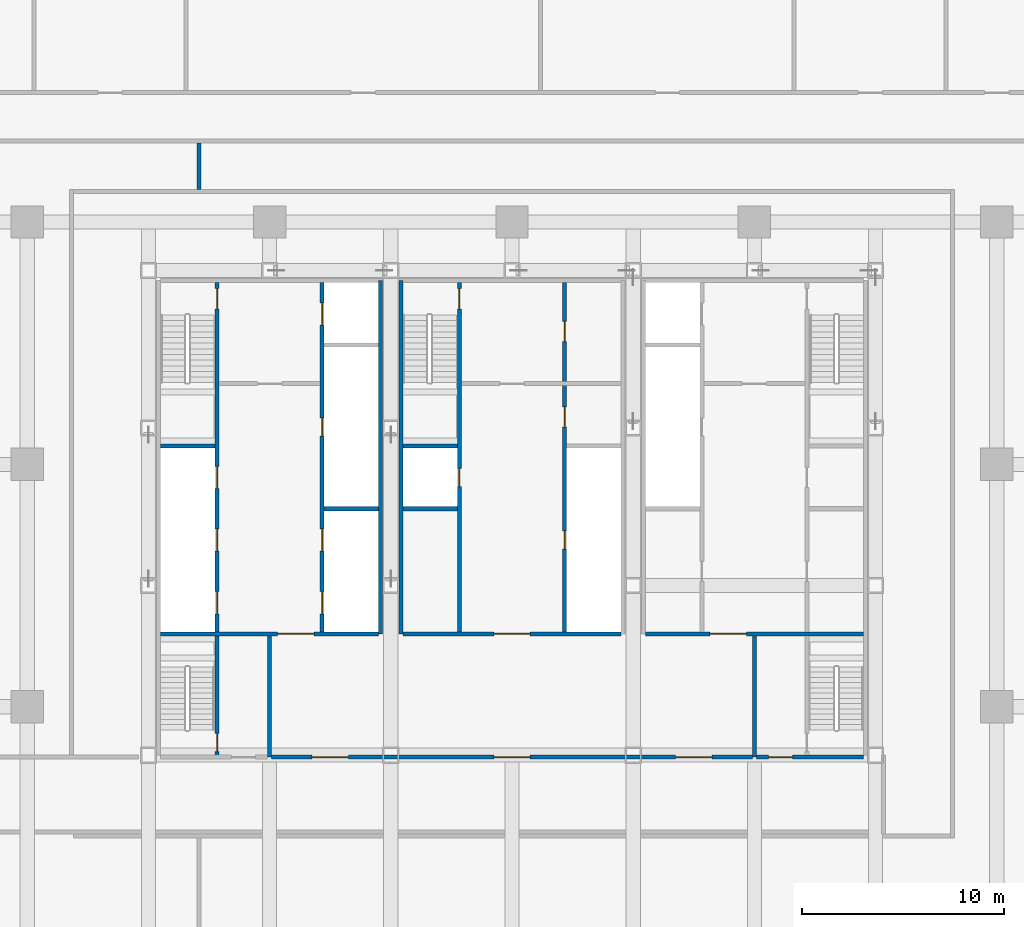
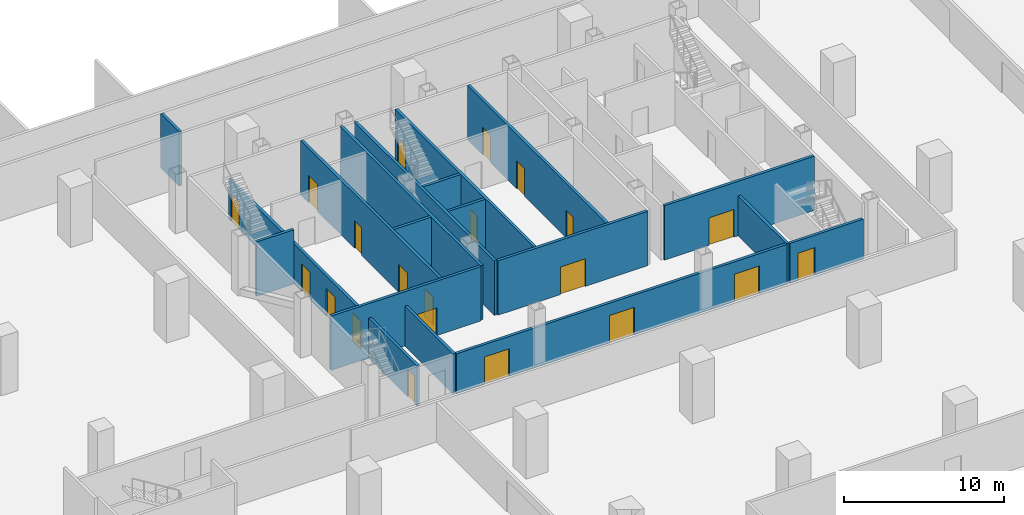
# One storey, part 4 of 15: 21 doors, 18 walls, 21 openings.
"""IFC4 building model written with IfcOpenShell, lengths in metres."""

from ifc_helpers import new_model, si_unit, direction, frame, frame_2d, origin, place, context, subcontext, project, spatial, rectangle, extrude, material, layer, layer_set, type_object, element, fill, save


model = new_model("IFC4")

# Units and contexts
model_context = context("Model", 3, precision=1e-05, world=origin(), true_north=direction((0.0, 1.0)))
body_context = subcontext(model_context, "Body", "Model", "MODEL_VIEW")
ifc_project = project(units=[si_unit("LENGTHUNIT", "METRE"), si_unit("AREAUNIT", "SQUARE_METRE"), si_unit("VOLUMEUNIT", "CUBIC_METRE"), si_unit("PLANEANGLEUNIT", "RADIAN"), si_unit("MASSUNIT", "GRAM", prefix="KILO")], contexts=[model_context])

# Site, building, storey
site_placement = place(None, origin())
site = spatial("IfcSite", under=ifc_project, at=site_placement, CompositionType="ELEMENT")
building_placement = place(site_placement, origin())
building = spatial("IfcBuilding", under=site, at=building_placement, Name="Sorahane Residences", CompositionType="ELEMENT")
storey_placement = place(building_placement, frame((0.0, 0.0, -4.5)))
storey = spatial("IfcBuildingStorey", under=building, at=storey_placement, Name="B1", CompositionType="ELEMENT", Elevation=-4.5)

# Walls
ifc_material_1 = material(Name="Concrete C30", Category="concrete")
ifc_layer_1 = layer(ifc_material_1, 0.199951171875)
ifc_layer_set_1 = layer_set([ifc_layer_1], Name="Core face wall 200 EI 180")
wall_type_1 = type_object("IfcWallType", Name="Core face wall 200 EI 180", PredefinedType="SOLIDWALL", material=ifc_layer_set_1)
for number, where, z_axis, x_axis, name in (
    (1, (17.5, 27.60009765625, 0.0), (0.0, 0.0, 1.0), (0.0, 1.0, 0.0), "B1 core face wall"),
    (2, (18.5, 27.60009765625, 0.0), (0.0, 0.0, 1.0), (0.0, 1.0, 0.0), "B1 core face wall"),
):
    element("IfcWall", number, at=place(storey_placement, frame(where, z_axis=z_axis, x_axis=x_axis)), inside=storey, type_object=wall_type_1, Name=name, PredefinedType="SOLIDWALL", context=body_context, shape_type="SweptSolid", body=[
        extrude(rectangle(XDim=17.5, YDim=0.199951171875, at=frame_2d((8.75, 0.0))), origin(), (0.0, 0.0, 1.0), 4.139892578125),
    ])
ifc_material_2 = material(Name="Concrete blockwork C20 wall", Category="masonry")
ifc_layer_2 = layer(ifc_material_2, 0.199951171875)
ifc_layer_set_2 = layer_set([ifc_layer_2], Name="Fire wall 200 EI 120")
wall_type_2 = type_object("IfcWallType", Name="Fire wall 200 EI 120", PredefinedType="SOLIDWALL", material=ifc_layer_set_2)
wall_1_placement = place(storey_placement, frame((8.5, 49.60009765625, 0.0), z_axis=(0.0, 0.0, 1.0), x_axis=(0.0, 1.0, 0.0)))
element("IfcWall", 3, at=wall_1_placement, inside=storey, type_object=wall_type_2, Name="B1 fire wall", PredefinedType="SOLIDWALL", context=body_context, shape_type="SweptSolid", body=[
    extrude(rectangle(XDim=2.2998046875, YDim=0.199951171875, at=frame_2d((1.14990234375, 0.0))), origin(), (0.0, 0.0, 1.0), 4.139892578125),
])
ifc_material_3 = material(Name="Concrete C30", Category="concrete")
ifc_layer_3 = layer(ifc_material_3, 0.199951171875)
ifc_layer_set_3 = layer_set([ifc_layer_3], Name="Front room wall 200 EI 120")
wall_type_3 = type_object("IfcWallType", Name="Front room wall 200 EI 120", PredefinedType="PARTITIONING", material=ifc_layer_set_3)
for number, where, z_axis, x_axis, name in (
    (4, (12.0, 21.5, 0.0), (0.0, 0.0, 1.0), (0.0, 1.0, 0.0), "B1 front room wall"),
    (5, (36.0, 21.5, 0.0), (0.0, 0.0, 1.0), (0.0, 1.0, 0.0), "B1 front room wall"),
):
    element("IfcWall", number, at=place(storey_placement, frame(where, z_axis=z_axis, x_axis=x_axis)), inside=storey, type_object=wall_type_3, Name=name, PredefinedType="PARTITIONING", context=body_context, shape_type="SweptSolid", body=[
        extrude(rectangle(XDim=6.0, YDim=0.199951171875, at=frame_2d((3.0, 0.0))), origin(), (0.0, 0.0, 1.0), 3.0400390625),
    ])

# Wall, openings, doors
ifc_material_4 = material(Name="Concrete C30", Category="concrete")
ifc_layer_4 = layer(ifc_material_4, 0.199951171875)
ifc_layer_set_4 = layer_set([ifc_layer_4], Name="Lift shaft wall 200 EI 120")
wall_type_4 = type_object("IfcWallType", Name="Lift shaft wall 200 EI 120", PredefinedType="SOLIDWALL", material=ifc_layer_set_4)
wall_2_placement = place(storey_placement, frame((14.60009765625, 27.699951171875, 0.0), z_axis=(0.0, 0.0, 1.0), x_axis=(0.0, 1.0, 0.0)))
wall_2 = element("IfcWall", 6, at=wall_2_placement, inside=storey, type_object=wall_type_4, Name="B1 lift shaft wall", PredefinedType="SOLIDWALL", context=body_context, shape_type="SweptSolid", body=[
    extrude(rectangle(XDim=17.300048828125, YDim=0.199951171875, at=frame_2d((8.64990234375, 0.0))), origin(), (0.0, 0.0, 1.0), 4.139892578125),
])
opening_1_placement = place(wall_2_placement, frame((0.89990234375, 0.0, 0.0)))
opening_1 = element("IfcOpeningElement", 7, at=opening_1_placement, cuts=wall_2, Name="Opening B1-C13", PredefinedType="OPENING", context=body_context, shape_type="SweptSolid", body=[
    extrude(rectangle(XDim=1.10009765625, YDim=2.10009765625, at=frame_2d((0.550048828125, 1.050048828125))), frame((0.0, 0.10986328125, 0.0), z_axis=(0.0, -1.0, 0.0), x_axis=(1.0, 0.0, 0.0)), (0.0, 0.0, 1.0), 0.219970703125),
])
opening_2_placement = place(wall_2_placement, frame((4.0, 0.0, 0.0)))
opening_2 = element("IfcOpeningElement", 8, at=opening_2_placement, cuts=wall_2, Name="Opening B1-C14", PredefinedType="OPENING", context=body_context, shape_type="SweptSolid", body=[
    extrude(rectangle(XDim=1.10009765625, YDim=2.10009765625, at=frame_2d((0.550048828125, 1.050048828125))), frame((0.0, 0.10986328125, 0.0), z_axis=(0.0, -1.0, 0.0), x_axis=(1.0, 0.0, 0.0)), (0.0, 0.0, 1.0), 0.219970703125),
])
opening_3_placement = place(wall_2_placement, frame((15.199951171875, 0.0, 0.0)))
opening_3 = element("IfcOpeningElement", 9, at=opening_3_placement, cuts=wall_2, Name="Opening B1-C15", PredefinedType="OPENING", context=body_context, shape_type="SweptSolid", body=[
    extrude(rectangle(XDim=1.10009765625, YDim=2.10009765625, at=frame_2d((0.550048828125, 1.050048828125))), frame((0.0, 0.10986328125, 0.0), z_axis=(0.0, -1.0, 0.0), x_axis=(1.0, 0.0, 0.0)), (0.0, 0.0, 1.0), 0.219970703125),
])
opening_4_placement = place(wall_2_placement, frame((9.699951171875, 0.0, 0.0)))
opening_4 = element("IfcOpeningElement", 10, at=opening_4_placement, cuts=wall_2, Name="Opening B1-C27", PredefinedType="OPENING", context=body_context, shape_type="SweptSolid", body=[
    extrude(rectangle(XDim=0.89990234375, YDim=2.10009765625, at=frame_2d((0.449951171875, 1.050048828125))), frame((0.0, 0.10986328125, 0.0), z_axis=(0.0, -1.0, 0.0), x_axis=(1.0, 0.0, 0.0)), (0.0, 0.0, 1.0), 0.219970703125),
])
ifc_material_5 = material(Name="Aluminium and stainless steel", Category="steel")
door_type_1 = type_object("IfcDoorType", Name="Lift landing door 1100x2100 E 60", OperationType="NOTDEFINED", PredefinedType="DOOR", material=ifc_material_5)
door_1_placement = place(opening_1_placement, origin())
door_1 = element("IfcDoor", 11, at=door_1_placement, inside=storey, type_object=door_type_1, Name="Lift landing door LR4 B1", OperationType="DOUBLE_DOOR_SLIDING", OverallHeight=2.10009765625, OverallWidth=1.10009765625, PredefinedType="DOOR", context=body_context, shape_type="SweptSolid", body=[
    extrude(rectangle(XDim=1.10009765625, YDim=2.10009765625, at=frame_2d((0.550048828125, 1.050048828125))), frame((0.0, 0.02490234375, 0.0), z_axis=(0.0, -1.0, 0.0), x_axis=(1.0, 0.0, 0.0)), (0.0, 0.0, 1.0), 0.050048828125),
])
fill(opening_1, door_1)
door_2_placement = place(opening_2_placement, origin())
door_2 = element("IfcDoor", 12, at=door_2_placement, inside=storey, type_object=door_type_1, Name="Lift landing door LR5 B1", OperationType="DOUBLE_DOOR_SLIDING", OverallHeight=2.10009765625, OverallWidth=1.10009765625, PredefinedType="DOOR", context=body_context, shape_type="SweptSolid", body=[
    extrude(rectangle(XDim=1.10009765625, YDim=2.10009765625, at=frame_2d((0.550048828125, 1.050048828125))), frame((0.0, 0.02490234375, 0.0), z_axis=(0.0, -1.0, 0.0), x_axis=(1.0, 0.0, 0.0)), (0.0, 0.0, 1.0), 0.050048828125),
])
fill(opening_2, door_2)
door_3_placement = place(opening_3_placement, origin())
door_3 = element("IfcDoor", 13, at=door_3_placement, inside=storey, type_object=door_type_1, Name="Lift landing door FF1 B1", OperationType="DOUBLE_DOOR_SLIDING", OverallHeight=2.10009765625, OverallWidth=1.10009765625, PredefinedType="DOOR", context=body_context, shape_type="SweptSolid", body=[
    extrude(rectangle(XDim=1.10009765625, YDim=2.10009765625, at=frame_2d((0.550048828125, 1.050048828125))), frame((0.0, 0.02490234375, 0.0), z_axis=(0.0, -1.0, 0.0), x_axis=(1.0, 0.0, 0.0)), (0.0, 0.0, 1.0), 0.050048828125),
])
fill(opening_3, door_3)
ifc_material_6 = material(Name="Steel", Category="steel")
door_type_2 = type_object("IfcDoorType", Name="Riser door 900x2100 FD120", OperationType="NOTDEFINED", PredefinedType="DOOR", material=ifc_material_6)
door_4_placement = place(opening_4_placement, origin())
door_4 = element("IfcDoor", 14, at=door_4_placement, inside=storey, type_object=door_type_2, Name="Riser door R1 B1", OperationType="SINGLE_SWING_LEFT", OverallHeight=2.10009765625, OverallWidth=0.89990234375, PredefinedType="DOOR", context=body_context, shape_type="SweptSolid", body=[
    extrude(rectangle(XDim=0.89990234375, YDim=2.10009765625, at=frame_2d((0.449951171875, 1.050048828125))), frame((0.0, 0.02490234375, 0.0), z_axis=(0.0, -1.0, 0.0), x_axis=(1.0, 0.0, 0.0)), (0.0, 0.0, 1.0), 0.050048828125),
])
fill(opening_4, door_4)

# Wall, opening, door
wall_3_placement = place(storey_placement, frame((18.60009765625, 27.60009765625, 0.0), z_axis=(0.0, 0.0, 1.0), x_axis=(1.0, 0.0, 0.0)))
wall_3 = element("IfcWall", 15, at=wall_3_placement, inside=storey, type_object=wall_type_4, Name="B1 lift shaft wall", PredefinedType="SOLIDWALL", context=body_context, shape_type="SweptSolid", body=[
    extrude(rectangle(XDim=10.7998046875, YDim=0.199951171875, at=frame_2d((5.39990234375, 0.0))), origin(), (0.0, 0.0, 1.0), 4.139892578125),
])
opening_5_placement = place(wall_3_placement, frame((4.5, 0.0, 0.0)))
opening_5 = element("IfcOpeningElement", 16, at=opening_5_placement, cuts=wall_3, Name="Opening B1-C08", PredefinedType="OPENING", context=body_context, shape_type="SweptSolid", body=[
    extrude(rectangle(XDim=1.800048828125, YDim=2.10009765625, at=frame_2d((0.89990234375, 1.050048828125))), frame((0.0, 0.10986328125, 0.0), z_axis=(0.0, -1.0, 0.0), x_axis=(1.0, 0.0, 0.0)), (0.0, 0.0, 1.0), 0.219970703125),
])
ifc_material_7 = material(Name="Steel", Category="steel")
door_type_3 = type_object("IfcDoorType", Name="Waiting hall door 1800x2100 FD60", OperationType="NOTDEFINED", PredefinedType="DOOR", material=ifc_material_7)
door_5_placement = place(opening_5_placement, frame((1.800048828125, 0.0, 0.0), z_axis=(0.0, 0.0, 1.0), x_axis=(-1.0, 0.0, 0.0)))
door_5 = element("IfcDoor", 17, at=door_5_placement, inside=storey, type_object=door_type_3, Name="Waiting hall door Shuttle lobby B1", OperationType="SINGLE_SWING_LEFT", OverallHeight=2.10009765625, OverallWidth=1.800048828125, PredefinedType="DOOR", context=body_context, shape_type="SweptSolid", body=[
    extrude(rectangle(XDim=1.800048828125, YDim=2.10009765625, at=frame_2d((0.89990234375, 1.050048828125))), frame((0.0, 0.02490234375, 0.0), z_axis=(0.0, -1.0, 0.0), x_axis=(1.0, 0.0, 0.0)), (0.0, 0.0, 1.0), 0.050048828125),
])
fill(opening_5, door_5)

# Walls
for number, where, z_axis, x_axis, name in (
    (18, (14.699951171875, 33.800048828125, 0.0), (0.0, 0.0, 1.0), (1.0, 0.0, 0.0), "B1 lift shaft wall"),
    (19, (18.60009765625, 33.800048828125, 0.0), (0.0, 0.0, 1.0), (1.0, 0.0, 0.0), "B1 lift shaft wall"),
):
    element("IfcWall", number, at=place(storey_placement, frame(where, z_axis=z_axis, x_axis=x_axis)), inside=storey, type_object=wall_type_4, Name=name, PredefinedType="SOLIDWALL", context=body_context, shape_type="SweptSolid", body=[
        extrude(rectangle(XDim=2.699951171875, YDim=0.199951171875, at=frame_2d((1.35009765625, 0.0))), origin(), (0.0, 0.0, 1.0), 4.139892578125),
    ])

# Wall, openings, doors
ifc_material_8 = material(Name="Concrete C30", Category="concrete")
ifc_layer_5 = layer(ifc_material_8, 0.199951171875)
ifc_layer_set_5 = layer_set([ifc_layer_5], Name="Riser shaft wall 200 EI 120")
wall_type_5 = type_object("IfcWallType", Name="Riser shaft wall 200 EI 120", PredefinedType="SOLIDWALL", material=ifc_layer_set_5)
wall_4_placement = place(storey_placement, frame((26.60009765625, 27.699951171875, 0.0), z_axis=(0.0, 0.0, 1.0), x_axis=(0.0, 1.0, 0.0)))
wall_4 = element("IfcWall", 20, at=wall_4_placement, inside=storey, type_object=wall_type_5, Name="B1 riser wall", PredefinedType="SOLIDWALL", context=body_context, shape_type="SweptSolid", body=[
    extrude(rectangle(XDim=17.300048828125, YDim=0.199951171875, at=frame_2d((8.64990234375, 0.0))), origin(), (0.0, 0.0, 1.0), 4.139892578125),
])
opening_6_placement = place(wall_4_placement, frame((4.10009765625, 0.0, 0.0)))
opening_6 = element("IfcOpeningElement", 21, at=opening_6_placement, cuts=wall_4, Name="Opening B1-C30", PredefinedType="OPENING", context=body_context, shape_type="SweptSolid", body=[
    extrude(rectangle(XDim=0.89990234375, YDim=2.10009765625, at=frame_2d((0.449951171875, 1.050048828125))), frame((0.0, 0.10986328125, 0.0), z_axis=(0.0, -1.0, 0.0), x_axis=(1.0, 0.0, 0.0)), (0.0, 0.0, 1.0), 0.219970703125),
])
opening_7_placement = place(wall_4_placement, frame((10.14990234375, 0.0, 0.0)))
opening_7 = element("IfcOpeningElement", 22, at=opening_7_placement, cuts=wall_4, Name="Opening B1-C31", PredefinedType="OPENING", context=body_context, shape_type="SweptSolid", body=[
    extrude(rectangle(XDim=1.0, YDim=2.10009765625, at=frame_2d((0.5, 1.050048828125))), frame((0.0, 0.10986328125, 0.0), z_axis=(0.0, -1.0, 0.0), x_axis=(1.0, 0.0, 0.0)), (0.0, 0.0, 1.0), 0.219970703125),
])
opening_8_placement = place(wall_4_placement, frame((14.375, 0.0, 0.0)))
opening_8 = element("IfcOpeningElement", 23, at=opening_8_placement, cuts=wall_4, Name="Opening B1-C32", PredefinedType="OPENING", context=body_context, shape_type="SweptSolid", body=[
    extrude(rectangle(XDim=1.0, YDim=2.10009765625, at=frame_2d((0.5, 1.050048828125))), frame((0.0, 0.10986328125, 0.0), z_axis=(0.0, -1.0, 0.0), x_axis=(1.0, 0.0, 0.0)), (0.0, 0.0, 1.0), 0.219970703125),
])
door_6_placement = place(opening_6_placement, origin())
door_6 = element("IfcDoor", 24, at=door_6_placement, inside=storey, type_object=door_type_2, Name="Riser door R4 B1", OperationType="SINGLE_SWING_LEFT", OverallHeight=2.10009765625, OverallWidth=0.89990234375, PredefinedType="DOOR", context=body_context, shape_type="SweptSolid", body=[
    extrude(rectangle(XDim=0.89990234375, YDim=2.10009765625, at=frame_2d((0.449951171875, 1.050048828125))), frame((0.0, 0.02490234375, 0.0), z_axis=(0.0, -1.0, 0.0), x_axis=(1.0, 0.0, 0.0)), (0.0, 0.0, 1.0), 0.050048828125),
])
fill(opening_6, door_6)
ifc_material_9 = material(Name="Steel", Category="steel")
door_type_4 = type_object("IfcDoorType", Name="Service room door 1000x2100 FD60", OperationType="NOTDEFINED", PredefinedType="DOOR", material=ifc_material_9)
door_7_placement = place(opening_7_placement, frame((1.0, 0.0, 0.0), z_axis=(0.0, 0.0, 1.0), x_axis=(-1.0, 0.0, 0.0)))
door_7 = element("IfcDoor", 25, at=door_7_placement, inside=storey, type_object=door_type_4, Name="Service room door Linen room B1", OperationType="SINGLE_SWING_LEFT", OverallHeight=2.10009765625, OverallWidth=1.0, PredefinedType="DOOR", context=body_context, shape_type="SweptSolid", body=[
    extrude(rectangle(XDim=1.0, YDim=2.10009765625, at=frame_2d((0.5, 1.050048828125))), frame((0.0, 0.02490234375, 0.0), z_axis=(0.0, -1.0, 0.0), x_axis=(1.0, 0.0, 0.0)), (0.0, 0.0, 1.0), 0.050048828125),
])
fill(opening_7, door_7)
door_8_placement = place(opening_8_placement, frame((1.0, 0.0, 0.0), z_axis=(0.0, 0.0, 1.0), x_axis=(-1.0, 0.0, 0.0)))
door_8 = element("IfcDoor", 26, at=door_8_placement, inside=storey, type_object=door_type_4, Name="Service room door Cleaners' store B1", OperationType="SINGLE_SWING_LEFT", OverallHeight=2.10009765625, OverallWidth=1.0, PredefinedType="DOOR", context=body_context, shape_type="SweptSolid", body=[
    extrude(rectangle(XDim=1.0, YDim=2.10009765625, at=frame_2d((0.5, 1.050048828125))), frame((0.0, 0.02490234375, 0.0), z_axis=(0.0, -1.0, 0.0), x_axis=(1.0, 0.0, 0.0)), (0.0, 0.0, 1.0), 0.050048828125),
])
fill(opening_8, door_8)

ifc_material_10 = material(Name="Concrete C30", Category="concrete")
ifc_layer_6 = layer(ifc_material_10, 0.199951171875)
ifc_layer_set_6 = layer_set([ifc_layer_6], Name="Stair enclosure wall 200 EI 120")
wall_type_6 = type_object("IfcWallType", Name="Stair enclosure wall 200 EI 120", PredefinedType="SOLIDWALL", material=ifc_layer_set_6)
wall_5_placement = place(storey_placement, frame((21.39990234375, 27.699951171875, 0.0), z_axis=(0.0, 0.0, 1.0), x_axis=(0.0, 1.0, 0.0)))
wall_5 = element("IfcWall", 27, at=wall_5_placement, inside=storey, type_object=wall_type_6, Name="B1 stair enclosure wall", PredefinedType="SOLIDWALL", context=body_context, shape_type="SweptSolid", body=[
    extrude(rectangle(XDim=17.300048828125, YDim=0.199951171875, at=frame_2d((8.64990234375, 0.0))), origin(), (0.0, 0.0, 1.0), 4.139892578125),
])
opening_9_placement = place(wall_5_placement, frame((16.0, 0.0, 0.0)))
opening_9 = element("IfcOpeningElement", 28, at=opening_9_placement, cuts=wall_5, Name="Opening B1-C24", PredefinedType="OPENING", context=body_context, shape_type="SweptSolid", body=[
    extrude(rectangle(XDim=1.0, YDim=2.10009765625, at=frame_2d((0.5, 1.050048828125))), frame((0.0, 0.10986328125, 0.0), z_axis=(0.0, -1.0, 0.0), x_axis=(1.0, 0.0, 0.0)), (0.0, 0.0, 1.0), 0.219970703125),
])
opening_10_placement = place(wall_5_placement, frame((7.199951171875, 0.0, 0.0)))
opening_10 = element("IfcOpeningElement", 29, at=opening_10_placement, cuts=wall_5, Name="Opening B1-C29", PredefinedType="OPENING", context=body_context, shape_type="SweptSolid", body=[
    extrude(rectangle(XDim=0.89990234375, YDim=2.10009765625, at=frame_2d((0.449951171875, 1.050048828125))), frame((0.0, 0.10986328125, 0.0), z_axis=(0.0, -1.0, 0.0), x_axis=(1.0, 0.0, 0.0)), (0.0, 0.0, 1.0), 0.219970703125),
])
door_9_placement = place(opening_10_placement, frame((0.89990234375, 0.0, 0.0), z_axis=(0.0, 0.0, 1.0), x_axis=(-1.0, 0.0, 0.0)))
door_9 = element("IfcDoor", 30, at=door_9_placement, inside=storey, type_object=door_type_2, Name="Riser door R3 B1", OperationType="SINGLE_SWING_LEFT", OverallHeight=2.10009765625, OverallWidth=0.89990234375, PredefinedType="DOOR", context=body_context, shape_type="SweptSolid", body=[
    extrude(rectangle(XDim=0.89990234375, YDim=2.10009765625, at=frame_2d((0.449951171875, 1.050048828125))), frame((0.0, 0.02490234375, 0.0), z_axis=(0.0, -1.0, 0.0), x_axis=(1.0, 0.0, 0.0)), (0.0, 0.0, 1.0), 0.050048828125),
])
fill(opening_10, door_9)
ifc_material_11 = material(Name="Steel", Category="steel")
door_type_5 = type_object("IfcDoorType", Name="Stair door 1000x2100 FD120", OperationType="NOTDEFINED", PredefinedType="DOOR", material=ifc_material_11)
door_10_placement = place(opening_9_placement, origin())
door_10 = element("IfcDoor", 31, at=door_10_placement, inside=storey, type_object=door_type_5, Name="Stair door S3 B1", OperationType="SINGLE_SWING_LEFT", OverallHeight=2.10009765625, OverallWidth=1.0, PredefinedType="DOOR", context=body_context, shape_type="SweptSolid", body=[
    extrude(rectangle(XDim=1.0, YDim=2.10009765625, at=frame_2d((0.5, 1.050048828125))), frame((0.0, 0.02490234375, 0.0), z_axis=(0.0, -1.0, 0.0), x_axis=(1.0, 0.0, 0.0)), (0.0, 0.0, 1.0), 0.050048828125),
])
fill(opening_9, door_10)

wall_6_placement = place(storey_placement, frame((9.39990234375, 21.5, 0.0), z_axis=(0.0, 0.0, 1.0), x_axis=(0.0, 1.0, 0.0)))
wall_6 = element("IfcWall", 32, at=wall_6_placement, inside=storey, type_object=wall_type_6, Name="B1 stair enclosure wall", PredefinedType="SOLIDWALL", context=body_context, shape_type="SweptSolid", body=[
    extrude(rectangle(XDim=23.5, YDim=0.199951171875, at=frame_2d((11.75, 0.0))), origin(), (0.0, 0.0, 1.0), 3.0400390625),
])
opening_11_placement = place(wall_6_placement, frame((7.10009765625, 0.0, 0.0)))
opening_11 = element("IfcOpeningElement", 33, at=opening_11_placement, cuts=wall_6, Name="Opening B1-C16", PredefinedType="OPENING", context=body_context, shape_type="SweptSolid", body=[
    extrude(rectangle(XDim=1.10009765625, YDim=2.10009765625, at=frame_2d((0.550048828125, 1.050048828125))), frame((0.0, 0.10986328125, 0.0), z_axis=(0.0, -1.0, 0.0), x_axis=(1.0, 0.0, 0.0)), (0.0, 0.0, 1.0), 0.219970703125),
])
opening_12_placement = place(wall_6_placement, frame((10.199951171875, 0.0, 0.0)))
opening_12 = element("IfcOpeningElement", 34, at=opening_12_placement, cuts=wall_6, Name="Opening B1-C17", PredefinedType="OPENING", context=body_context, shape_type="SweptSolid", body=[
    extrude(rectangle(XDim=1.10009765625, YDim=2.10009765625, at=frame_2d((0.550048828125, 1.050048828125))), frame((0.0, 0.10986328125, 0.0), z_axis=(0.0, -1.0, 0.0), x_axis=(1.0, 0.0, 0.0)), (0.0, 0.0, 1.0), 0.219970703125),
])
opening_13_placement = place(wall_6_placement, frame((13.300048828125, 0.0, 0.0)))
opening_13 = element("IfcOpeningElement", 35, at=opening_13_placement, cuts=wall_6, Name="Opening B1-C18", PredefinedType="OPENING", context=body_context, shape_type="SweptSolid", body=[
    extrude(rectangle(XDim=1.10009765625, YDim=2.10009765625, at=frame_2d((0.550048828125, 1.050048828125))), frame((0.0, 0.10986328125, 0.0), z_axis=(0.0, -1.0, 0.0), x_axis=(1.0, 0.0, 0.0)), (0.0, 0.0, 1.0), 0.219970703125),
])
opening_14_placement = place(wall_6_placement, frame((22.199951171875, 0.0, 0.0)))
opening_14 = element("IfcOpeningElement", 36, at=opening_14_placement, cuts=wall_6, Name="Opening B1-C22", PredefinedType="OPENING", context=body_context, shape_type="SweptSolid", body=[
    extrude(rectangle(XDim=1.0, YDim=2.10009765625, at=frame_2d((0.5, 1.050048828125))), frame((0.0, 0.10986328125, 0.0), z_axis=(0.0, -1.0, 0.0), x_axis=(1.0, 0.0, 0.0)), (0.0, 0.0, 1.0), 0.219970703125),
])
opening_15_placement = place(wall_6_placement, frame((0.27490234375, 0.0, 0.0)))
opening_15 = element("IfcOpeningElement", 37, at=opening_15_placement, cuts=wall_6, Name="Opening B1-C25", PredefinedType="OPENING", context=body_context, shape_type="SweptSolid", body=[
    extrude(rectangle(XDim=0.89990234375, YDim=2.10009765625, at=frame_2d((0.449951171875, 1.050048828125))), frame((0.0, 0.10986328125, 0.0), z_axis=(0.0, -1.0, 0.0), x_axis=(1.0, 0.0, 0.0)), (0.0, 0.0, 1.0), 0.219970703125),
])
door_11_placement = place(opening_11_placement, origin())
door_11 = element("IfcDoor", 38, at=door_11_placement, inside=storey, type_object=door_type_1, Name="Lift landing door LR1 B1", OperationType="DOUBLE_DOOR_SLIDING", OverallHeight=2.10009765625, OverallWidth=1.10009765625, PredefinedType="DOOR", context=body_context, shape_type="SweptSolid", body=[
    extrude(rectangle(XDim=1.10009765625, YDim=2.10009765625, at=frame_2d((0.550048828125, 1.050048828125))), frame((0.0, 0.02490234375, 0.0), z_axis=(0.0, -1.0, 0.0), x_axis=(1.0, 0.0, 0.0)), (0.0, 0.0, 1.0), 0.050048828125),
])
fill(opening_11, door_11)
door_12_placement = place(opening_12_placement, origin())
door_12 = element("IfcDoor", 39, at=door_12_placement, inside=storey, type_object=door_type_1, Name="Lift landing door LR2 B1", OperationType="DOUBLE_DOOR_SLIDING", OverallHeight=2.10009765625, OverallWidth=1.10009765625, PredefinedType="DOOR", context=body_context, shape_type="SweptSolid", body=[
    extrude(rectangle(XDim=1.10009765625, YDim=2.10009765625, at=frame_2d((0.550048828125, 1.050048828125))), frame((0.0, 0.02490234375, 0.0), z_axis=(0.0, -1.0, 0.0), x_axis=(1.0, 0.0, 0.0)), (0.0, 0.0, 1.0), 0.050048828125),
])
fill(opening_12, door_12)
door_13_placement = place(opening_13_placement, origin())
door_13 = element("IfcDoor", 40, at=door_13_placement, inside=storey, type_object=door_type_1, Name="Lift landing door LR3 B1", OperationType="DOUBLE_DOOR_SLIDING", OverallHeight=2.10009765625, OverallWidth=1.10009765625, PredefinedType="DOOR", context=body_context, shape_type="SweptSolid", body=[
    extrude(rectangle(XDim=1.10009765625, YDim=2.10009765625, at=frame_2d((0.550048828125, 1.050048828125))), frame((0.0, 0.02490234375, 0.0), z_axis=(0.0, -1.0, 0.0), x_axis=(1.0, 0.0, 0.0)), (0.0, 0.0, 1.0), 0.050048828125),
])
fill(opening_13, door_13)
door_14_placement = place(opening_14_placement, origin())
door_14 = element("IfcDoor", 41, at=door_14_placement, inside=storey, type_object=door_type_5, Name="Stair door S1 B1", OperationType="SINGLE_SWING_LEFT", OverallHeight=2.10009765625, OverallWidth=1.0, PredefinedType="DOOR", context=body_context, shape_type="SweptSolid", body=[
    extrude(rectangle(XDim=1.0, YDim=2.10009765625, at=frame_2d((0.5, 1.050048828125))), frame((0.0, 0.02490234375, 0.0), z_axis=(0.0, -1.0, 0.0), x_axis=(1.0, 0.0, 0.0)), (0.0, 0.0, 1.0), 0.050048828125),
])
fill(opening_14, door_14)
ifc_material_12 = material(Name="Steel", Category="steel")
door_type_6 = type_object("IfcDoorType", Name="Stair door 900x2100 FD120", OperationType="NOTDEFINED", PredefinedType="DOOR", material=ifc_material_12)
door_15_placement = place(opening_15_placement, origin())
door_15 = element("IfcDoor", 42, at=door_15_placement, inside=storey, type_object=door_type_6, Name="Stair door S4 B1", OperationType="SINGLE_SWING_LEFT", OverallHeight=2.10009765625, OverallWidth=0.89990234375, PredefinedType="DOOR", context=body_context, shape_type="SweptSolid", body=[
    extrude(rectangle(XDim=0.89990234375, YDim=2.10009765625, at=frame_2d((0.449951171875, 1.050048828125))), frame((0.0, 0.02490234375, 0.0), z_axis=(0.0, -1.0, 0.0), x_axis=(1.0, 0.0, 0.0)), (0.0, 0.0, 1.0), 0.050048828125),
])
fill(opening_15, door_15)

# Wall, opening, door
wall_7_placement = place(storey_placement, frame((36.10009765625, 21.5, 0.0), z_axis=(0.0, 0.0, 1.0), x_axis=(1.0, 0.0, 0.0)))
wall_7 = element("IfcWall", 43, at=wall_7_placement, inside=storey, type_object=wall_type_6, Name="B1 stair enclosure wall", PredefinedType="SOLIDWALL", context=body_context, shape_type="SweptSolid", body=[
    extrude(rectangle(XDim=5.2998046875, YDim=0.199951171875, at=frame_2d((2.64990234375, 0.0))), origin(), (0.0, 0.0, 1.0), 3.0400390625),
])
opening_16_placement = place(wall_7_placement, frame((0.60009765625, 0.0, 0.0)))
opening_16 = element("IfcOpeningElement", 44, at=opening_16_placement, cuts=wall_7, Name="Opening B1-C05", PredefinedType="OPENING", context=body_context, shape_type="SweptSolid", body=[
    extrude(rectangle(XDim=1.199951171875, YDim=2.10009765625, at=frame_2d((0.60009765625, 1.050048828125))), frame((0.0, 0.10986328125, 0.0), z_axis=(0.0, -1.0, 0.0), x_axis=(1.0, 0.0, 0.0)), (0.0, 0.0, 1.0), 0.219970703125),
])
ifc_material_13 = material(Name="Steel", Category="steel")
door_type_7 = type_object("IfcDoorType", Name="Stair front room door 1200x2100 FD120", OperationType="NOTDEFINED", PredefinedType="DOOR", material=ifc_material_13)
door_16_placement = place(opening_16_placement, frame((1.199951171875, 0.0, 0.0), z_axis=(0.0, 0.0, 1.0), x_axis=(-1.0, 0.0, 0.0)))
door_16 = element("IfcDoor", 45, at=door_16_placement, inside=storey, type_object=door_type_7, Name="Stair front room door Stair S5 front room B1", OperationType="SINGLE_SWING_RIGHT", OverallHeight=2.10009765625, OverallWidth=1.199951171875, PredefinedType="DOOR", context=body_context, shape_type="SweptSolid", body=[
    extrude(rectangle(XDim=1.199951171875, YDim=2.10009765625, at=frame_2d((0.60009765625, 1.050048828125))), frame((0.0, 0.02490234375, 0.0), z_axis=(0.0, -1.0, 0.0), x_axis=(1.0, 0.0, 0.0)), (0.0, 0.0, 1.0), 0.050048828125),
])
fill(opening_16, door_16)

wall_8_placement = place(storey_placement, frame((30.60009765625, 27.60009765625, 0.0), z_axis=(0.0, 0.0, 1.0), x_axis=(1.0, 0.0, 0.0)))
wall_8 = element("IfcWall", 46, at=wall_8_placement, inside=storey, type_object=wall_type_6, Name="B1 stair enclosure wall", PredefinedType="SOLIDWALL", context=body_context, shape_type="SweptSolid", body=[
    extrude(rectangle(XDim=10.7998046875, YDim=0.199951171875, at=frame_2d((5.39990234375, 0.0))), origin(), (0.0, 0.0, 1.0), 4.139892578125),
])
opening_17_placement = place(wall_8_placement, frame((3.199951171875, 0.0, 0.0)))
opening_17 = element("IfcOpeningElement", 47, at=opening_17_placement, cuts=wall_8, Name="Opening B1-C10", PredefinedType="OPENING", context=body_context, shape_type="SweptSolid", body=[
    extrude(rectangle(XDim=1.800048828125, YDim=2.10009765625, at=frame_2d((0.89990234375, 1.050048828125))), frame((0.0, 0.10986328125, 0.0), z_axis=(0.0, -1.0, 0.0), x_axis=(1.0, 0.0, 0.0)), (0.0, 0.0, 1.0), 0.219970703125),
])
door_17_placement = place(opening_17_placement, frame((1.800048828125, 0.0, 0.0), z_axis=(0.0, 0.0, 1.0), x_axis=(-1.0, 0.0, 0.0)))
door_17 = element("IfcDoor", 48, at=door_17_placement, inside=storey, type_object=door_type_3, Name="Waiting hall door High-rise lift lobby B1", OperationType="SINGLE_SWING_LEFT", OverallHeight=2.10009765625, OverallWidth=1.800048828125, PredefinedType="DOOR", context=body_context, shape_type="SweptSolid", body=[
    extrude(rectangle(XDim=1.800048828125, YDim=2.10009765625, at=frame_2d((0.89990234375, 1.050048828125))), frame((0.0, 0.02490234375, 0.0), z_axis=(0.0, -1.0, 0.0), x_axis=(1.0, 0.0, 0.0)), (0.0, 0.0, 1.0), 0.050048828125),
])
fill(opening_17, door_17)

wall_9_placement = place(storey_placement, frame((6.60009765625, 27.60009765625, 0.0), z_axis=(0.0, 0.0, 1.0), x_axis=(1.0, 0.0, 0.0)))
wall_9 = element("IfcWall", 49, at=wall_9_placement, inside=storey, type_object=wall_type_6, Name="B1 stair enclosure wall", PredefinedType="SOLIDWALL", context=body_context, shape_type="SweptSolid", body=[
    extrude(rectangle(XDim=10.7998046875, YDim=0.199951171875, at=frame_2d((5.39990234375, 0.0))), origin(), (0.0, 0.0, 1.0), 4.139892578125),
])
opening_18_placement = place(wall_9_placement, frame((5.800048828125, 0.0, 0.0)))
opening_18 = element("IfcOpeningElement", 50, at=opening_18_placement, cuts=wall_9, Name="Opening B1-C06", PredefinedType="OPENING", context=body_context, shape_type="SweptSolid", body=[
    extrude(rectangle(XDim=1.800048828125, YDim=2.10009765625, at=frame_2d((0.89990234375, 1.050048828125))), frame((0.0, 0.10986328125, 0.0), z_axis=(0.0, -1.0, 0.0), x_axis=(1.0, 0.0, 0.0)), (0.0, 0.0, 1.0), 0.219970703125),
])
door_18_placement = place(opening_18_placement, frame((1.800048828125, 0.0, 0.0), z_axis=(0.0, 0.0, 1.0), x_axis=(-1.0, 0.0, 0.0)))
door_18 = element("IfcDoor", 51, at=door_18_placement, inside=storey, type_object=door_type_3, Name="Waiting hall door Low-rise lift lobby B1", OperationType="SINGLE_SWING_LEFT", OverallHeight=2.10009765625, OverallWidth=1.800048828125, PredefinedType="DOOR", context=body_context, shape_type="SweptSolid", body=[
    extrude(rectangle(XDim=1.800048828125, YDim=2.10009765625, at=frame_2d((0.89990234375, 1.050048828125))), frame((0.0, 0.02490234375, 0.0), z_axis=(0.0, -1.0, 0.0), x_axis=(1.0, 0.0, 0.0)), (0.0, 0.0, 1.0), 0.050048828125),
])
fill(opening_18, door_18)

# Walls
for number, where, z_axis, x_axis, name in (
    (52, (18.60009765625, 36.89990234375, 0.0), (0.0, 0.0, 1.0), (1.0, 0.0, 0.0), "B1 stair enclosure wall"),
    (53, (6.60009765625, 36.89990234375, 0.0), (0.0, 0.0, 1.0), (1.0, 0.0, 0.0), "B1 stair enclosure wall"),
):
    element("IfcWall", number, at=place(storey_placement, frame(where, z_axis=z_axis, x_axis=x_axis)), inside=storey, type_object=wall_type_6, Name=name, PredefinedType="SOLIDWALL", context=body_context, shape_type="SweptSolid", body=[
        extrude(rectangle(XDim=2.699951171875, YDim=0.199951171875, at=frame_2d((1.35009765625, 0.0))), origin(), (0.0, 0.0, 1.0), 4.139892578125),
    ])

# Wall, openings, doors
ifc_material_14 = material(Name="Concrete C30", Category="concrete")
ifc_layer_7 = layer(ifc_material_14, 0.199951171875)
ifc_layer_set_7 = layer_set([ifc_layer_7], Name="Waiting hall wall 200 EI 120")
wall_type_7 = type_object("IfcWallType", Name="Waiting hall wall 200 EI 120", PredefinedType="SOLIDWALL", material=ifc_layer_set_7)
wall_10_placement = place(storey_placement, frame((12.10009765625, 21.5, 0.0), z_axis=(0.0, 0.0, 1.0), x_axis=(1.0, 0.0, 0.0)))
wall_10 = element("IfcWall", 54, at=wall_10_placement, inside=storey, type_object=wall_type_7, Name="B1 waiting hall wall", PredefinedType="SOLIDWALL", context=body_context, shape_type="SweptSolid", body=[
    extrude(rectangle(XDim=23.7998046875, YDim=0.199951171875, at=frame_2d((11.89990234375, 0.0))), origin(), (0.0, 0.0, 1.0), 3.0400390625),
])
opening_19_placement = place(wall_10_placement, frame((2.0, 0.0, 0.0)))
opening_19 = element("IfcOpeningElement", 55, at=opening_19_placement, cuts=wall_10, Name="Opening B1-C01", PredefinedType="OPENING", context=body_context, shape_type="SweptSolid", body=[
    extrude(rectangle(XDim=1.800048828125, YDim=2.10009765625, at=frame_2d((0.89990234375, 1.050048828125))), frame((0.0, 0.10986328125, 0.0), z_axis=(0.0, -1.0, 0.0), x_axis=(1.0, 0.0, 0.0)), (0.0, 0.0, 1.0), 0.219970703125),
])
opening_20_placement = place(wall_10_placement, frame((11.0, 0.0, 0.0)))
opening_20 = element("IfcOpeningElement", 56, at=opening_20_placement, cuts=wall_10, Name="Opening B1-C02", PredefinedType="OPENING", context=body_context, shape_type="SweptSolid", body=[
    extrude(rectangle(XDim=1.800048828125, YDim=2.10009765625, at=frame_2d((0.89990234375, 1.050048828125))), frame((0.0, 0.10986328125, 0.0), z_axis=(0.0, -1.0, 0.0), x_axis=(1.0, 0.0, 0.0)), (0.0, 0.0, 1.0), 0.219970703125),
])
opening_21_placement = place(wall_10_placement, frame((20.0, 0.0, 0.0)))
opening_21 = element("IfcOpeningElement", 57, at=opening_21_placement, cuts=wall_10, Name="Opening B1-C03", PredefinedType="OPENING", context=body_context, shape_type="SweptSolid", body=[
    extrude(rectangle(XDim=1.800048828125, YDim=2.10009765625, at=frame_2d((0.89990234375, 1.050048828125))), frame((0.0, 0.10986328125, 0.0), z_axis=(0.0, -1.0, 0.0), x_axis=(1.0, 0.0, 0.0)), (0.0, 0.0, 1.0), 0.219970703125),
])
door_19_placement = place(opening_19_placement, frame((1.800048828125, 0.0, 0.0), z_axis=(0.0, 0.0, 1.0), x_axis=(-1.0, 0.0, 0.0)))
door_19 = element("IfcDoor", 58, at=door_19_placement, inside=storey, type_object=door_type_3, Name="Waiting hall door Residents' waiting hall B1", OperationType="SINGLE_SWING_RIGHT", OverallHeight=2.10009765625, OverallWidth=1.800048828125, PredefinedType="DOOR", context=body_context, shape_type="SweptSolid", body=[
    extrude(rectangle(XDim=1.800048828125, YDim=2.10009765625, at=frame_2d((0.89990234375, 1.050048828125))), frame((0.0, 0.02490234375, 0.0), z_axis=(0.0, -1.0, 0.0), x_axis=(1.0, 0.0, 0.0)), (0.0, 0.0, 1.0), 0.050048828125),
])
fill(opening_19, door_19)
door_20_placement = place(opening_20_placement, frame((1.800048828125, 0.0, 0.0), z_axis=(0.0, 0.0, 1.0), x_axis=(-1.0, 0.0, 0.0)))
door_20 = element("IfcDoor", 59, at=door_20_placement, inside=storey, type_object=door_type_3, Name="Waiting hall door Residents' waiting hall B1", OperationType="SINGLE_SWING_RIGHT", OverallHeight=2.10009765625, OverallWidth=1.800048828125, PredefinedType="DOOR", context=body_context, shape_type="SweptSolid", body=[
    extrude(rectangle(XDim=1.800048828125, YDim=2.10009765625, at=frame_2d((0.89990234375, 1.050048828125))), frame((0.0, 0.02490234375, 0.0), z_axis=(0.0, -1.0, 0.0), x_axis=(1.0, 0.0, 0.0)), (0.0, 0.0, 1.0), 0.050048828125),
])
fill(opening_20, door_20)
door_21_placement = place(opening_21_placement, frame((1.800048828125, 0.0, 0.0), z_axis=(0.0, 0.0, 1.0), x_axis=(-1.0, 0.0, 0.0)))
door_21 = element("IfcDoor", 60, at=door_21_placement, inside=storey, type_object=door_type_3, Name="Waiting hall door Residents' waiting hall B1", OperationType="SINGLE_SWING_RIGHT", OverallHeight=2.10009765625, OverallWidth=1.800048828125, PredefinedType="DOOR", context=body_context, shape_type="SweptSolid", body=[
    extrude(rectangle(XDim=1.800048828125, YDim=2.10009765625, at=frame_2d((0.89990234375, 1.050048828125))), frame((0.0, 0.02490234375, 0.0), z_axis=(0.0, -1.0, 0.0), x_axis=(1.0, 0.0, 0.0)), (0.0, 0.0, 1.0), 0.050048828125),
])
fill(opening_21, door_21)

save(model, "model.ifc")
